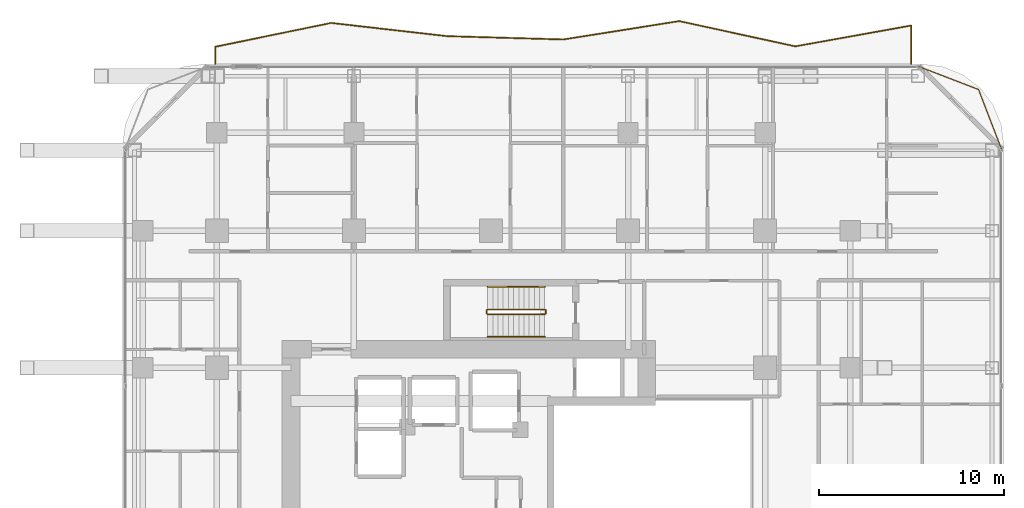
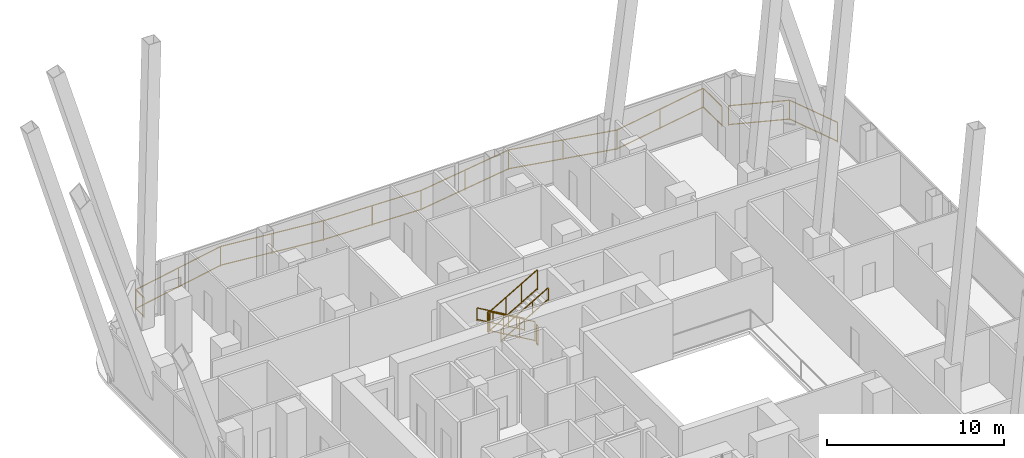
# One storey, part 32 of 32: 8 railings.
"""IFC4 building model written with IfcOpenShell, lengths in metres."""

from ifc_helpers import new_model, si_unit, direction, frame, origin, origin_2d, place, context, subcontext, project, spatial, rectangle, extrude, material, type_object, element, save


model = new_model("IFC4")

# Units and contexts
model_context = context("Model", 3, precision=1e-05, world=origin(), true_north=direction((0.0, 1.0)))
body_context = subcontext(model_context, "Body", "Model", "MODEL_VIEW")
ifc_project = project(units=[si_unit("LENGTHUNIT", "METRE"), si_unit("AREAUNIT", "SQUARE_METRE"), si_unit("VOLUMEUNIT", "CUBIC_METRE"), si_unit("PLANEANGLEUNIT", "RADIAN"), si_unit("MASSUNIT", "GRAM", prefix="KILO")], contexts=[model_context])

# Site, building, storey
site_placement = place(None, origin())
site = spatial("IfcSite", under=ifc_project, at=site_placement, CompositionType="ELEMENT")
building_placement = place(site_placement, origin())
building = spatial("IfcBuilding", under=site, at=building_placement, Name="Khorvyn Point Tower", CompositionType="ELEMENT")
storey_placement = place(building_placement, frame((0.0, 0.0, 148.5)))
storey = spatial("IfcBuildingStorey", under=building, at=storey_placement, Name="L37", CompositionType="ELEMENT", Elevation=148.5)

# Railings
ifc_material_1 = material(Name="Anodised aluminium 6063-T6 and laminated safety glass", Category="aluminium")
railing_type_1 = type_object("IfcRailingType", Name="Laminated Glass and Aluminium Balcony Guardrail 1400", PredefinedType="BALUSTRADE", material=ifc_material_1)
railing_1_placement = place(storey_placement, frame((27.57421875, 19.176025390625, 0.0)))
element("IfcRailing", 1, at=railing_1_placement, inside=storey, type_object=railing_type_1, Name="L37 Rounded Corner Edge Guardrail NE", PredefinedType="BALUSTRADE", context=body_context, shape_type="SweptSolid", body=[
    extrude(rectangle(XDim=0.048095703125, YDim=0.048095703125, at=origin_2d()), frame((0.0, 0.0, 1.3759765625), z_axis=(-0.358382264808, 0.933574931257, 0.0), x_axis=(-0.933574931257, -0.358382264808, 0.0)), (0.0, 0.0, 1.0), 3.481689453125),
    extrude(rectangle(XDim=0.048095703125, YDim=0.048095703125, at=origin_2d()), frame((0.0, 0.0, 0.080078125), z_axis=(-0.358382264808, 0.933574931257, 0.0), x_axis=(-0.933574931257, -0.358382264808, 0.0)), (0.0, 0.0, 1.0), 3.481689453125),
    extrude(rectangle(XDim=0.048095703125, YDim=0.048095703125, at=origin_2d()), frame((-1.247802734375, 3.25048828125, 1.3759765625), z_axis=(-0.933598390295, 0.358321148746, 0.0), x_axis=(-0.358321148746, -0.933598390295, 0.0)), (0.0, 0.0, 1.0), 3.481689453125),
    extrude(rectangle(XDim=0.048095703125, YDim=0.048095703125, at=origin_2d()), frame((-1.247802734375, 3.25048828125, 0.080078125), z_axis=(-0.933598390295, 0.358321148746, 0.0), x_axis=(-0.358321148746, -0.933598390295, 0.0)), (0.0, 0.0, 1.0), 3.481689453125),
    extrude(rectangle(XDim=0.0419921875, YDim=0.0419921875, at=origin_2d()), origin(), (0.0, 0.0, 1.0), 1.351806640625),
    extrude(rectangle(XDim=0.0419921875, YDim=0.0419921875, at=origin_2d()), frame((-1.247802734375, 3.25048828125, 0.0)), (0.0, 0.0, 1.0), 1.351806640625),
    extrude(rectangle(XDim=0.0419921875, YDim=0.0419921875, at=origin_2d()), frame((-4.498291015625, 4.498046875, 0.0)), (0.0, 0.0, 1.0), 1.351806640625),
])
railing_2_placement = place(storey_placement, frame((22.699951171875, 23.800048828125, 0.0)))
element("IfcRailing", 2, at=railing_2_placement, inside=storey, type_object=railing_type_1, Name="L37 North Balcony Guardrail", PredefinedType="BALUSTRADE", context=body_context, shape_type="SweptSolid", body=[
    extrude(rectangle(XDim=0.048095703125, YDim=0.048095703125, at=origin_2d()), frame((0.0, 0.0, 1.3759765625), z_axis=(0.0, 1.0, 0.0), x_axis=(-1.0, 0.0, 0.0)), (0.0, 0.0, 1.0), 2.08349609375),
    extrude(rectangle(XDim=0.048095703125, YDim=0.048095703125, at=origin_2d()), frame((0.0, 0.0, 0.080078125), z_axis=(0.0, 1.0, 0.0), x_axis=(-1.0, 0.0, 0.0)), (0.0, 0.0, 1.0), 2.08349609375),
    extrude(rectangle(XDim=0.048095703125, YDim=0.048095703125, at=origin_2d()), frame((0.0, 2.08349609375, 1.3759765625), z_axis=(-0.984225013532, -0.176921233148, 0.0), x_axis=(0.176921233148, -0.984225013532, 0.0)), (0.0, 0.0, 1.0), 6.366943359375),
    extrude(rectangle(XDim=0.048095703125, YDim=0.048095703125, at=origin_2d()), frame((0.0, 2.08349609375, 0.080078125), z_axis=(-0.984225013532, -0.176921233148, 0.0), x_axis=(0.176921233148, -0.984225013532, 0.0)), (0.0, 0.0, 1.0), 6.366943359375),
    extrude(rectangle(XDim=0.048095703125, YDim=0.048095703125, at=origin_2d()), frame((-6.2666015625, 0.95703125, 1.3759765625), z_axis=(-0.97716055631, 0.212502346319, 0.0), x_axis=(-0.212502346319, -0.97716055631, 0.0)), (0.0, 0.0, 1.0), 6.4130859375),
    extrude(rectangle(XDim=0.048095703125, YDim=0.048095703125, at=origin_2d()), frame((-6.2666015625, 0.95703125, 0.080078125), z_axis=(-0.97716055631, 0.212502346319, 0.0), x_axis=(-0.212502346319, -0.97716055631, 0.0)), (0.0, 0.0, 1.0), 6.4130859375),
    extrude(rectangle(XDim=0.048095703125, YDim=0.048095703125, at=origin_2d()), frame((-12.533203125, 2.31982421875, 1.3759765625), z_axis=(-0.987715496993, -0.156262909864, 0.0), x_axis=(0.156262909864, -0.987715496993, 0.0)), (0.0, 0.0, 1.0), 6.3447265625),
    extrude(rectangle(XDim=0.048095703125, YDim=0.048095703125, at=origin_2d()), frame((-12.533203125, 2.31982421875, 0.080078125), z_axis=(-0.987715496993, -0.156262909864, 0.0), x_axis=(0.156262909864, -0.987715496993, 0.0)), (0.0, 0.0, 1.0), 6.3447265625),
    extrude(rectangle(XDim=0.048095703125, YDim=0.048095703125, at=origin_2d()), frame((-18.800048828125, 1.328369140625, 1.3759765625), z_axis=(-0.999594718652, 0.028467498026, 0.0), x_axis=(-0.028467498026, -0.999594718652, 0.0)), (0.0, 0.0, 1.0), 6.26904296875),
    extrude(rectangle(XDim=0.048095703125, YDim=0.048095703125, at=origin_2d()), frame((-18.800048828125, 1.328369140625, 0.080078125), z_axis=(-0.999594718652, 0.028467498026, 0.0), x_axis=(-0.028467498026, -0.999594718652, 0.0)), (0.0, 0.0, 1.0), 6.26904296875),
    extrude(rectangle(XDim=0.048095703125, YDim=0.048095703125, at=origin_2d()), frame((-25.066650390625, 1.5068359375, 1.3759765625), z_axis=(-0.993569675103, 0.113222350774, 0.0), x_axis=(-0.113222350774, -0.993569675103, 0.0)), (0.0, 0.0, 1.0), 6.30712890625),
    extrude(rectangle(XDim=0.048095703125, YDim=0.048095703125, at=origin_2d()), frame((-25.066650390625, 1.5068359375, 0.080078125), z_axis=(-0.993569675103, 0.113222350774, 0.0), x_axis=(-0.113222350774, -0.993569675103, 0.0)), (0.0, 0.0, 1.0), 6.30712890625),
    extrude(rectangle(XDim=0.048095703125, YDim=0.048095703125, at=origin_2d()), frame((-31.333251953125, 2.220947265625, 1.3759765625), z_axis=(-0.979506669863, -0.201411726801, 0.0), x_axis=(0.201411726801, -0.979506669863, 0.0)), (0.0, 0.0, 1.0), 6.397705078125),
    extrude(rectangle(XDim=0.048095703125, YDim=0.048095703125, at=origin_2d()), frame((-31.333251953125, 2.220947265625, 0.080078125), z_axis=(-0.979506669863, -0.201411726801, 0.0), x_axis=(0.201411726801, -0.979506669863, 0.0)), (0.0, 0.0, 1.0), 6.397705078125),
    extrude(rectangle(XDim=0.048095703125, YDim=0.048095703125, at=origin_2d()), frame((-37.599853515625, 0.932373046875, 1.3759765625), z_axis=(0.0, -1.0, 0.0), x_axis=(1.0, 0.0, 0.0)), (0.0, 0.0, 1.0), 0.932373046875),
    extrude(rectangle(XDim=0.048095703125, YDim=0.048095703125, at=origin_2d()), frame((-37.599853515625, 0.932373046875, 0.080078125), z_axis=(0.0, -1.0, 0.0), x_axis=(1.0, 0.0, 0.0)), (0.0, 0.0, 1.0), 0.932373046875),
    extrude(rectangle(XDim=0.0419921875, YDim=0.0419921875, at=origin_2d()), origin(), (0.0, 0.0, 1.0), 1.351806640625),
    extrude(rectangle(XDim=0.0419921875, YDim=0.0419921875, at=origin_2d()), frame((0.0, 2.08349609375, 0.0)), (0.0, 0.0, 1.0), 1.351806640625),
    extrude(rectangle(XDim=0.0419921875, YDim=0.0419921875, at=origin_2d()), frame((-3.13330078125, 1.520263671875, 0.0)), (0.0, 0.0, 1.0), 1.351806640625),
    extrude(rectangle(XDim=0.0419921875, YDim=0.0419921875, at=origin_2d()), frame((-6.2666015625, 0.95703125, 0.0)), (0.0, 0.0, 1.0), 1.351806640625),
    extrude(rectangle(XDim=0.0419921875, YDim=0.0419921875, at=origin_2d()), frame((-9.39990234375, 1.638427734375, 0.0)), (0.0, 0.0, 1.0), 1.351806640625),
    extrude(rectangle(XDim=0.0419921875, YDim=0.0419921875, at=origin_2d()), frame((-12.533203125, 2.31982421875, 0.0)), (0.0, 0.0, 1.0), 1.351806640625),
    extrude(rectangle(XDim=0.0419921875, YDim=0.0419921875, at=origin_2d()), frame((-15.66650390625, 1.82421875, 0.0)), (0.0, 0.0, 1.0), 1.351806640625),
    extrude(rectangle(XDim=0.0419921875, YDim=0.0419921875, at=origin_2d()), frame((-18.800048828125, 1.328369140625, 0.0)), (0.0, 0.0, 1.0), 1.351806640625),
    extrude(rectangle(XDim=0.0419921875, YDim=0.0419921875, at=origin_2d()), frame((-21.933349609375, 1.41748046875, 0.0)), (0.0, 0.0, 1.0), 1.351806640625),
    extrude(rectangle(XDim=0.0419921875, YDim=0.0419921875, at=origin_2d()), frame((-25.066650390625, 1.5068359375, 0.0)), (0.0, 0.0, 1.0), 1.351806640625),
    extrude(rectangle(XDim=0.0419921875, YDim=0.0419921875, at=origin_2d()), frame((-28.199951171875, 1.86376953125, 0.0)), (0.0, 0.0, 1.0), 1.351806640625),
    extrude(rectangle(XDim=0.0419921875, YDim=0.0419921875, at=origin_2d()), frame((-31.333251953125, 2.220947265625, 0.0)), (0.0, 0.0, 1.0), 1.351806640625),
    extrude(rectangle(XDim=0.0419921875, YDim=0.0419921875, at=origin_2d()), frame((-34.466552734375, 1.57666015625, 0.0)), (0.0, 0.0, 1.0), 1.351806640625),
    extrude(rectangle(XDim=0.0419921875, YDim=0.0419921875, at=origin_2d()), frame((-37.599853515625, 0.932373046875, 0.0)), (0.0, 0.0, 1.0), 1.351806640625),
    extrude(rectangle(XDim=0.0419921875, YDim=0.0419921875, at=origin_2d()), frame((-37.599853515625, 0.0, 0.0)), (0.0, 0.0, 1.0), 1.351806640625),
])
ifc_material_2 = material(Name="Stainless steel 1.4301", Category="steel")
railing_type_2 = type_object("IfcRailingType", Name="Stainless Steel 304 Stair Pitch Handrail 900", PredefinedType="HANDRAIL", material=ifc_material_2)
railing_3_placement = place(storey_placement, frame((2.89990234375, 11.77001953125, 0.16259765625)))
element("IfcRailing", 3, at=railing_3_placement, inside=storey, type_object=railing_type_2, Name="L37 ST-02 stair handrail 1", PredefinedType="HANDRAIL", context=body_context, shape_type="SweptSolid", body=[
    extrude(rectangle(XDim=0.048095703125, YDim=0.048095703125, at=origin_2d()), frame((0.0, 0.0, 0.8759765625), z_axis=(-0.864903211148, 0.0, 0.501938676878), x_axis=(0.0, -1.0, 0.0)), (0.0, 0.0, 1.0), 3.560791015625),
    extrude(rectangle(XDim=0.048095703125, YDim=0.048095703125, at=origin_2d()), frame((0.0, 0.0, 0.080078125), z_axis=(-0.864903211148, 0.0, 0.501938676878), x_axis=(0.0, -1.0, 0.0)), (0.0, 0.0, 1.0), 3.560791015625),
    extrude(rectangle(XDim=0.0419921875, YDim=0.0419921875, at=origin_2d()), origin(), (0.0, 0.0, 1.0), 0.851806640625),
    extrude(rectangle(XDim=0.0419921875, YDim=0.0419921875, at=origin_2d()), frame((-1.026611328125, 0.0, 0.595703125)), (0.0, 0.0, 1.0), 0.851806640625),
    extrude(rectangle(XDim=0.0419921875, YDim=0.0419921875, at=origin_2d()), frame((-2.05322265625, 0.0, 1.191650390625)), (0.0, 0.0, 1.0), 0.851806640625),
    extrude(rectangle(XDim=0.0419921875, YDim=0.0419921875, at=origin_2d()), frame((-3.079833984375, 0.0, 1.787353515625)), (0.0, 0.0, 1.0), 0.851806640625),
])
railing_4_placement = place(storey_placement, frame((-0.179931640625, 9.070068359375, 2.112548828125)))
element("IfcRailing", 4, at=railing_4_placement, inside=storey, type_object=railing_type_2, Name="L37 ST-02 stair handrail 2", PredefinedType="HANDRAIL", context=body_context, shape_type="SweptSolid", body=[
    extrude(rectangle(XDim=0.048095703125, YDim=0.048095703125, at=origin_2d()), frame((0.0, 0.0, 0.8759765625), z_axis=(0.864903211148, 0.0, 0.501938676878), x_axis=(0.0, 1.0, 0.0)), (0.0, 0.0, 1.0), 3.560791015625),
    extrude(rectangle(XDim=0.048095703125, YDim=0.048095703125, at=origin_2d()), frame((0.0, 0.0, 0.080078125), z_axis=(0.864903211148, 0.0, 0.501938676878), x_axis=(0.0, 1.0, 0.0)), (0.0, 0.0, 1.0), 3.560791015625),
    extrude(rectangle(XDim=0.0419921875, YDim=0.0419921875, at=origin_2d()), origin(), (0.0, 0.0, 1.0), 0.851806640625),
    extrude(rectangle(XDim=0.0419921875, YDim=0.0419921875, at=origin_2d()), frame((1.026611328125, 0.0, 0.595703125)), (0.0, 0.0, 1.0), 0.851806640625),
    extrude(rectangle(XDim=0.0419921875, YDim=0.0419921875, at=origin_2d()), frame((2.05322265625, 0.0, 1.191650390625)), (0.0, 0.0, 1.0), 0.851806640625),
    extrude(rectangle(XDim=0.0419921875, YDim=0.0419921875, at=origin_2d()), frame((3.079833984375, 0.0, 1.787353515625)), (0.0, 0.0, 1.0), 0.851806640625),
])
railing_type_3 = type_object("IfcRailingType", Name="Stainless Steel 304 Stair Well Guardrail 1400", PredefinedType="GUARDRAIL", material=ifc_material_2)
railing_5_placement = place(storey_placement, frame((2.89990234375, 10.550048828125, 0.16259765625)))
element("IfcRailing", 5, at=railing_5_placement, inside=storey, type_object=railing_type_3, Name="L37 ST-02 stair guard 1", PredefinedType="GUARDRAIL", context=body_context, shape_type="SweptSolid", body=[
    extrude(rectangle(XDim=0.048095703125, YDim=0.048095703125, at=origin_2d()), frame((0.0, 0.0, 1.3759765625), z_axis=(-0.864903211148, 0.0, 0.501938676878), x_axis=(0.0, -1.0, 0.0)), (0.0, 0.0, 1.0), 3.560791015625),
    extrude(rectangle(XDim=0.048095703125, YDim=0.048095703125, at=origin_2d()), frame((0.0, 0.0, 0.080078125), z_axis=(-0.864903211148, 0.0, 0.501938676878), x_axis=(0.0, -1.0, 0.0)), (0.0, 0.0, 1.0), 3.560791015625),
    extrude(rectangle(XDim=0.0419921875, YDim=0.0419921875, at=origin_2d()), origin(), (0.0, 0.0, 1.0), 1.351806640625),
    extrude(rectangle(XDim=0.0419921875, YDim=0.0419921875, at=origin_2d()), frame((-1.026611328125, 0.0, 0.595703125)), (0.0, 0.0, 1.0), 1.351806640625),
    extrude(rectangle(XDim=0.0419921875, YDim=0.0419921875, at=origin_2d()), frame((-2.05322265625, 0.0, 1.191650390625)), (0.0, 0.0, 1.0), 1.351806640625),
    extrude(rectangle(XDim=0.0419921875, YDim=0.0419921875, at=origin_2d()), frame((-3.079833984375, 0.0, 1.787353515625)), (0.0, 0.0, 1.0), 1.351806640625),
])
railing_6_placement = place(storey_placement, frame((-0.22998046875, 10.5, 1.949951171875)))
element("IfcRailing", 6, at=railing_6_placement, inside=storey, type_object=railing_type_3, Name="L37 ST-02 stair guard 2", PredefinedType="GUARDRAIL", context=body_context, shape_type="SweptSolid", body=[
    extrude(rectangle(XDim=0.048095703125, YDim=0.048095703125, at=origin_2d()), frame((0.0, 0.0, 1.3759765625), z_axis=(0.0, -1.0, 0.0), x_axis=(1.0, 0.0, 0.0)), (0.0, 0.0, 1.0), 0.159912109375),
    extrude(rectangle(XDim=0.048095703125, YDim=0.048095703125, at=origin_2d()), frame((0.0, 0.0, 0.080078125), z_axis=(0.0, -1.0, 0.0), x_axis=(1.0, 0.0, 0.0)), (0.0, 0.0, 1.0), 0.159912109375),
    extrude(rectangle(XDim=0.0419921875, YDim=0.0419921875, at=origin_2d()), origin(), (0.0, 0.0, 1.0), 1.351806640625),
    extrude(rectangle(XDim=0.0419921875, YDim=0.0419921875, at=origin_2d()), frame((0.0, -0.159912109375, 0.0)), (0.0, 0.0, 1.0), 1.351806640625),
])
railing_7_placement = place(storey_placement, frame((-0.179931640625, 10.2900390625, 2.112548828125)))
element("IfcRailing", 7, at=railing_7_placement, inside=storey, type_object=railing_type_3, Name="L37 ST-02 stair guard 3", PredefinedType="GUARDRAIL", context=body_context, shape_type="SweptSolid", body=[
    extrude(rectangle(XDim=0.048095703125, YDim=0.048095703125, at=origin_2d()), frame((0.0, 0.0, 1.3759765625), z_axis=(0.864903211148, 0.0, 0.501938676878), x_axis=(0.0, 1.0, 0.0)), (0.0, 0.0, 1.0), 3.560791015625),
    extrude(rectangle(XDim=0.048095703125, YDim=0.048095703125, at=origin_2d()), frame((0.0, 0.0, 0.080078125), z_axis=(0.864903211148, 0.0, 0.501938676878), x_axis=(0.0, 1.0, 0.0)), (0.0, 0.0, 1.0), 3.560791015625),
    extrude(rectangle(XDim=0.0419921875, YDim=0.0419921875, at=origin_2d()), origin(), (0.0, 0.0, 1.0), 1.351806640625),
    extrude(rectangle(XDim=0.0419921875, YDim=0.0419921875, at=origin_2d()), frame((1.026611328125, 0.0, 0.595703125)), (0.0, 0.0, 1.0), 1.351806640625),
    extrude(rectangle(XDim=0.0419921875, YDim=0.0419921875, at=origin_2d()), frame((2.05322265625, 0.0, 1.191650390625)), (0.0, 0.0, 1.0), 1.351806640625),
    extrude(rectangle(XDim=0.0419921875, YDim=0.0419921875, at=origin_2d()), frame((3.079833984375, 0.0, 1.787353515625)), (0.0, 0.0, 1.0), 1.351806640625),
])
railing_8_placement = place(storey_placement, frame((2.949951171875, 10.5, 0.0)))
element("IfcRailing", 8, at=railing_8_placement, inside=storey, type_object=railing_type_3, Name="L37 ST-02 stair guard 4", PredefinedType="GUARDRAIL", context=body_context, shape_type="SweptSolid", body=[
    extrude(rectangle(XDim=0.048095703125, YDim=0.048095703125, at=origin_2d()), frame((0.0, 0.0, 1.3759765625), z_axis=(0.0, -1.0, 0.0), x_axis=(1.0, 0.0, 0.0)), (0.0, 0.0, 1.0), 0.159912109375),
    extrude(rectangle(XDim=0.048095703125, YDim=0.048095703125, at=origin_2d()), frame((0.0, 0.0, 0.080078125), z_axis=(0.0, -1.0, 0.0), x_axis=(1.0, 0.0, 0.0)), (0.0, 0.0, 1.0), 0.159912109375),
    extrude(rectangle(XDim=0.0419921875, YDim=0.0419921875, at=origin_2d()), origin(), (0.0, 0.0, 1.0), 1.351806640625),
    extrude(rectangle(XDim=0.0419921875, YDim=0.0419921875, at=origin_2d()), frame((0.0, -0.159912109375, 0.0)), (0.0, 0.0, 1.0), 1.351806640625),
])

save(model, "model.ifc")
